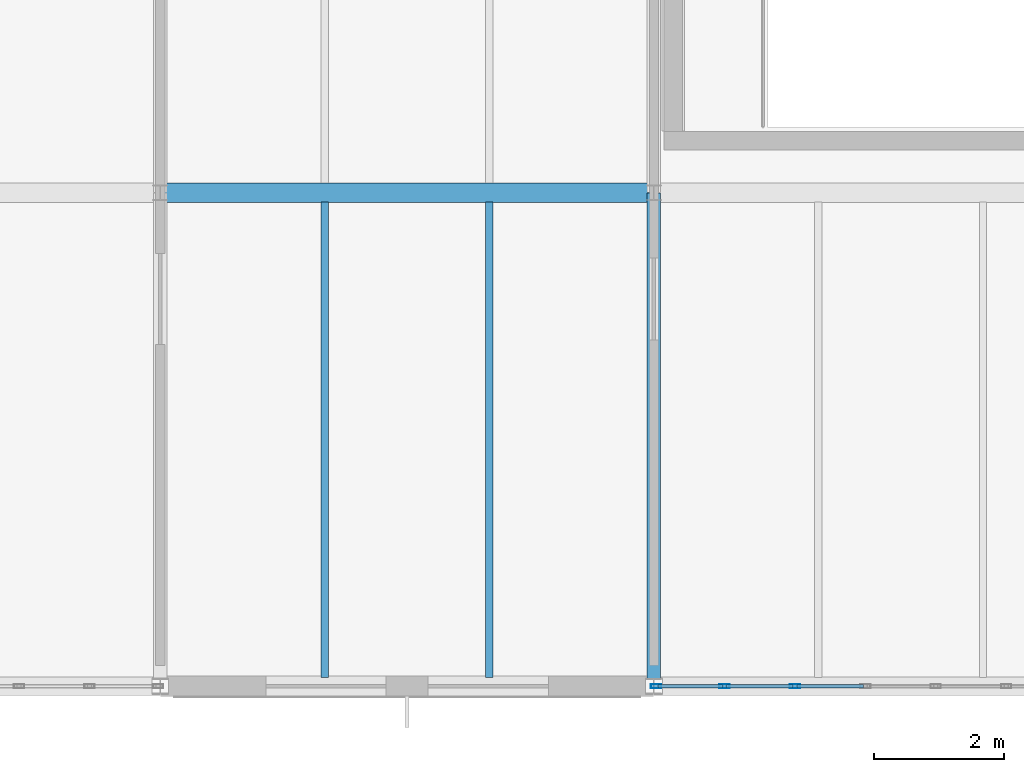
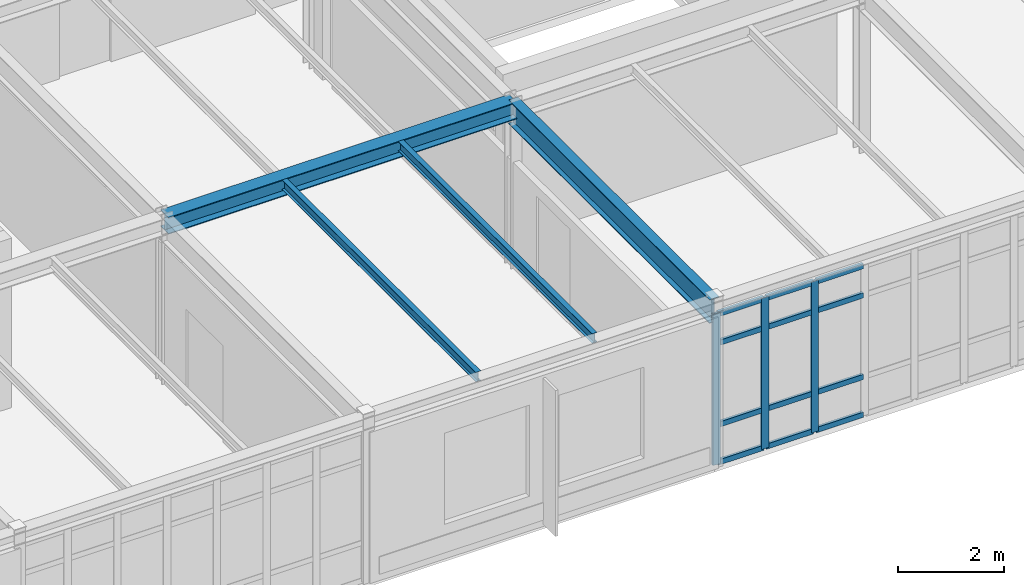
# One storey, part 28 of 189: 15 members, 4 beams, 1 element without a shape of its own.
"""IFC4 building model written with IfcOpenShell, lengths in metres."""

from ifc_helpers import new_model, si_unit, direction, frame, origin, origin_2d, place, context, subcontext, project, spatial, hollow_rectangle, i_section, extrude, material, layer, layer_set, material_profile, profile_set, type_object, element, aggregate, save


model = new_model("IFC4")

# Units and contexts
model_context = context("Model", 3, precision=1e-05, world=origin(), true_north=direction((0.0, 1.0)))
body_context = subcontext(model_context, "Body", "Model", "MODEL_VIEW")
ifc_project = project(units=[si_unit("LENGTHUNIT", "METRE"), si_unit("AREAUNIT", "SQUARE_METRE"), si_unit("VOLUMEUNIT", "CUBIC_METRE"), si_unit("PLANEANGLEUNIT", "RADIAN"), si_unit("MASSUNIT", "GRAM", prefix="KILO")], contexts=[model_context])

# Site, building, storey
site_placement = place(None, origin())
site = spatial("IfcSite", under=ifc_project, at=site_placement, CompositionType="ELEMENT")
building_placement = place(site_placement, origin())
building = spatial("IfcBuilding", under=site, at=building_placement, Name="Montecoro Central Library", CompositionType="ELEMENT")
storey_placement = place(building_placement, frame((0.0, 0.0, 9.179931640625)))
storey = spatial("IfcBuildingStorey", under=building, at=storey_placement, Name="L02", CompositionType="ELEMENT", Elevation=9.179931640625)

# Beams
ifc_material_1 = material(Name="Steel S355", Category="steel")
ifc_material_profile_1 = material_profile(ifc_material_1, i_section(OverallWidth=0.300048828125, OverallDepth=0.389892578125, WebThickness=0.010986328125, FlangeThickness=0.01904296875, at=origin_2d()), Name="HEA 400")
ifc_profile_set_1 = profile_set([ifc_material_profile_1], Name="Steel S355")
beam_type_1 = type_object("IfcBeamType", Name="BM-G-HEA400", PredefinedType="USERDEFINED", material=ifc_profile_set_1)
beam_1_placement = place(storey_placement, frame((20.205078125, 12.60009765625, 3.630126953125), z_axis=(1.0, 0.0, 0.0), x_axis=(0.0, 1.0, 0.0)))
element("IfcBeam", 1, at=beam_1_placement, inside=storey, type_object=beam_type_1, Name="V3-L02-BX-34-B", ObjectType="GIRDER", PredefinedType="USERDEFINED", context=body_context, shape_type="SweptSolid", body=[
    extrude(i_section(OverallWidth=0.300048828125, OverallDepth=0.389892578125, WebThickness=0.010986328125, FlangeThickness=0.01904296875, at=origin_2d()), origin(), (0.0, 0.0, 1.0), 7.58984375),
])
ifc_material_2 = material(Name="Steel S355J2", Category="steel")
ifc_material_profile_2 = material_profile(ifc_material_2, i_section(OverallWidth=0.2099609375, OverallDepth=0.550048828125, WebThickness=0.010986328125, FlangeThickness=0.01708984375, at=origin_2d()), Name="IPE 550")
ifc_profile_set_2 = profile_set([ifc_material_profile_2], Name="Steel S355J2")
beam_type_2 = type_object("IfcBeamType", Name="BM-G-IPE550", PredefinedType="USERDEFINED", material=ifc_profile_set_2)
beam_2_placement = place(storey_placement, frame((27.800048828125, 5.0048828125, 3.550048828125), z_axis=(0.0, 1.0, 0.0), x_axis=(-1.0, 0.0, 0.0)))
element("IfcBeam", 2, at=beam_2_placement, inside=storey, type_object=beam_type_2, Name="V3-L02-BY-4-AB", ObjectType="GIRDER", PredefinedType="USERDEFINED", context=body_context, shape_type="SweptSolid", body=[
    extrude(i_section(OverallWidth=0.2099609375, OverallDepth=0.550048828125, WebThickness=0.010986328125, FlangeThickness=0.01708984375, at=origin_2d()), origin(), (0.0, 0.0, 1.0), 7.590087890625),
])
ifc_material_profile_3 = material_profile(ifc_material_1, i_section(OverallWidth=0.110107421875, OverallDepth=0.219970703125, WebThickness=0.005859375, FlangeThickness=0.00927734375, at=origin_2d()), Name="IPE 220")
ifc_profile_set_3 = profile_set([ifc_material_profile_3], Name="Steel S355")
beam_type_3 = type_object("IfcBeamType", Name="BM-J-IPE220", PredefinedType="JOIST", material=ifc_profile_set_3)
for number, where, z_axis, x_axis, name in (
    (3, (22.73291015625, 5.136962890625, 3.715087890625), (0.0, 1.0, 0.0), (-1.0, 0.0, 0.0), "V3-L02-JS-34-AB-1"),
    (4, (25.26708984375, 5.136962890625, 3.715087890625), (0.0, 1.0, 0.0), (-1.0, 0.0, 0.0), "V3-L02-JS-34-AB-2"),
):
    element("IfcBeam", number, at=place(storey_placement, frame(where, z_axis=z_axis, x_axis=x_axis)), inside=storey, type_object=beam_type_3, Name=name, PredefinedType="JOIST", context=body_context, shape_type="SweptSolid", body=[
        extrude(i_section(OverallWidth=0.110107421875, OverallDepth=0.219970703125, WebThickness=0.005859375, FlangeThickness=0.00927734375, at=origin_2d()), origin(), (0.0, 0.0, 1.0), 7.31591796875),
    ])

# Curtain wall, members
ifc_material_3 = material(Name="Bronze-anodised aluminium and low-E glazing", Category="aluminium")
ifc_layer = layer(ifc_material_3, 0.159912109375)
ifc_layer_set = layer_set([ifc_layer], Name="Bronze-anodised aluminium and low-E glazing")
curtain_wall_type = type_object("IfcCurtainWallType", Name="CWT-033", PredefinedType="NOTDEFINED", material=ifc_layer_set)
curtain_wall_placement = place(storey_placement, origin())
curtain_wall = element("IfcCurtainWall", 5, at=curtain_wall_placement, inside=storey, type_object=curtain_wall_type, Name="V3-L02-CW-S3", PredefinedType="NOTDEFINED")
ifc_material_4 = material(Name="Bronze-anodised aluminium", Category="aluminium")
ifc_material_profile_4 = material_profile(ifc_material_4, hollow_rectangle(XDim=0.06005859375, YDim=0.159912109375, WallThickness=0.00390625, at=origin_2d()), Name="CWM 160x60x4.0")
ifc_profile_set_4 = profile_set([ifc_material_profile_4], Name="Bronze-anodised aluminium")
member_type_1 = type_object("IfcMemberType", Name="CWM-BRZ-60", PredefinedType="MULLION", material=ifc_profile_set_4)
member_1_placement = place(storey_placement, frame((27.833984375, 5.0, 0.0), z_axis=(0.0, 0.0, 1.0), x_axis=(0.0, 1.0, 0.0)))
member_1 = element("IfcMember", 6, at=member_1_placement, type_object=member_type_1, Name="CW-033 mullion 1", PredefinedType="MULLION", context=body_context, shape_type="SweptSolid", body=[
    extrude(hollow_rectangle(XDim=0.06005859375, YDim=0.159912109375, WallThickness=0.00390625, at=origin_2d()), origin(), (0.0, 0.0, 1.0), 3.47998046875),
])
member_2_placement = place(storey_placement, frame((28.888671875, 5.0, 0.0), z_axis=(0.0, 0.0, 1.0), x_axis=(0.0, 1.0, 0.0)))
member_2 = element("IfcMember", 7, at=member_2_placement, type_object=member_type_1, Name="CW-033 mullion 2", PredefinedType="MULLION", context=body_context, shape_type="SweptSolid", body=[
    extrude(hollow_rectangle(XDim=0.06005859375, YDim=0.159912109375, WallThickness=0.00390625, at=origin_2d()), origin(), (0.0, 0.0, 1.0), 3.47998046875),
])
member_3_placement = place(storey_placement, frame((29.97314453125, 5.0, 0.0), z_axis=(0.0, 0.0, 1.0), x_axis=(0.0, 1.0, 0.0)))
member_3 = element("IfcMember", 8, at=member_3_placement, type_object=member_type_1, Name="CW-033 mullion 3", PredefinedType="MULLION", context=body_context, shape_type="SweptSolid", body=[
    extrude(hollow_rectangle(XDim=0.06005859375, YDim=0.159912109375, WallThickness=0.00390625, at=origin_2d()), origin(), (0.0, 0.0, 1.0), 3.47998046875),
])
ifc_material_profile_5 = material_profile(ifc_material_4, hollow_rectangle(XDim=0.06005859375, YDim=0.1201171875, WallThickness=0.00390625, at=origin_2d()), Name="CWT 120x60x4.0")
ifc_profile_set_5 = profile_set([ifc_material_profile_5], Name="Bronze-anodised aluminium")
member_type_2 = type_object("IfcMemberType", Name="CWT-BRZ-60", PredefinedType="USERDEFINED", material=ifc_profile_set_5)
member_4_placement = place(storey_placement, frame((27.864013671875, 5.0, 0.030029296875), z_axis=(1.0, 0.0, 0.0), x_axis=(0.0, 1.0, 0.0)))
member_4 = element("IfcMember", 9, at=member_4_placement, type_object=member_type_2, Name="CW-033 transom 1.1", ObjectType="TRANSOM", PredefinedType="USERDEFINED", context=body_context, shape_type="SweptSolid", body=[
    extrude(hollow_rectangle(XDim=0.06005859375, YDim=0.1201171875, WallThickness=0.00390625, at=origin_2d()), origin(), (0.0, 0.0, 1.0), 0.99462890625),
])
member_5_placement = place(storey_placement, frame((27.864013671875, 5.0, 0.900146484375), z_axis=(1.0, 0.0, 0.0), x_axis=(0.0, 1.0, 0.0)))
member_5 = element("IfcMember", 10, at=member_5_placement, type_object=member_type_2, Name="CW-033 transom 1.2", ObjectType="TRANSOM", PredefinedType="USERDEFINED", context=body_context, shape_type="SweptSolid", body=[
    extrude(hollow_rectangle(XDim=0.06005859375, YDim=0.1201171875, WallThickness=0.00390625, at=origin_2d()), origin(), (0.0, 0.0, 1.0), 0.99462890625),
])
member_6_placement = place(storey_placement, frame((27.864013671875, 5.0, 2.780029296875), z_axis=(1.0, 0.0, 0.0), x_axis=(0.0, 1.0, 0.0)))
member_6 = element("IfcMember", 11, at=member_6_placement, type_object=member_type_2, Name="CW-033 transom 1.3", ObjectType="TRANSOM", PredefinedType="USERDEFINED", context=body_context, shape_type="SweptSolid", body=[
    extrude(hollow_rectangle(XDim=0.06005859375, YDim=0.1201171875, WallThickness=0.00390625, at=origin_2d()), origin(), (0.0, 0.0, 1.0), 0.99462890625),
])
member_7_placement = place(storey_placement, frame((27.864013671875, 5.0, 3.449951171875), z_axis=(1.0, 0.0, 0.0), x_axis=(0.0, 1.0, 0.0)))
member_7 = element("IfcMember", 12, at=member_7_placement, type_object=member_type_2, Name="CW-033 transom 1.4", ObjectType="TRANSOM", PredefinedType="USERDEFINED", context=body_context, shape_type="SweptSolid", body=[
    extrude(hollow_rectangle(XDim=0.06005859375, YDim=0.1201171875, WallThickness=0.00390625, at=origin_2d()), origin(), (0.0, 0.0, 1.0), 0.99462890625),
])
member_8_placement = place(storey_placement, frame((28.91845703125, 5.0, 0.030029296875), z_axis=(1.0, 0.0, 0.0), x_axis=(0.0, 1.0, 0.0)))
member_8 = element("IfcMember", 13, at=member_8_placement, type_object=member_type_2, Name="CW-033 transom 2.1", ObjectType="TRANSOM", PredefinedType="USERDEFINED", context=body_context, shape_type="SweptSolid", body=[
    extrude(hollow_rectangle(XDim=0.06005859375, YDim=0.1201171875, WallThickness=0.00390625, at=origin_2d()), origin(), (0.0, 0.0, 1.0), 1.024658203125),
])
member_9_placement = place(storey_placement, frame((28.91845703125, 5.0, 0.900146484375), z_axis=(1.0, 0.0, 0.0), x_axis=(0.0, 1.0, 0.0)))
member_9 = element("IfcMember", 14, at=member_9_placement, type_object=member_type_2, Name="CW-033 transom 2.2", ObjectType="TRANSOM", PredefinedType="USERDEFINED", context=body_context, shape_type="SweptSolid", body=[
    extrude(hollow_rectangle(XDim=0.06005859375, YDim=0.1201171875, WallThickness=0.00390625, at=origin_2d()), origin(), (0.0, 0.0, 1.0), 1.024658203125),
])
member_10_placement = place(storey_placement, frame((28.91845703125, 5.0, 2.780029296875), z_axis=(1.0, 0.0, 0.0), x_axis=(0.0, 1.0, 0.0)))
member_10 = element("IfcMember", 15, at=member_10_placement, type_object=member_type_2, Name="CW-033 transom 2.3", ObjectType="TRANSOM", PredefinedType="USERDEFINED", context=body_context, shape_type="SweptSolid", body=[
    extrude(hollow_rectangle(XDim=0.06005859375, YDim=0.1201171875, WallThickness=0.00390625, at=origin_2d()), origin(), (0.0, 0.0, 1.0), 1.024658203125),
])
member_11_placement = place(storey_placement, frame((28.91845703125, 5.0, 3.449951171875), z_axis=(1.0, 0.0, 0.0), x_axis=(0.0, 1.0, 0.0)))
member_11 = element("IfcMember", 16, at=member_11_placement, type_object=member_type_2, Name="CW-033 transom 2.4", ObjectType="TRANSOM", PredefinedType="USERDEFINED", context=body_context, shape_type="SweptSolid", body=[
    extrude(hollow_rectangle(XDim=0.06005859375, YDim=0.1201171875, WallThickness=0.00390625, at=origin_2d()), origin(), (0.0, 0.0, 1.0), 1.024658203125),
])
member_12_placement = place(storey_placement, frame((30.003173828125, 5.0, 0.030029296875), z_axis=(1.0, 0.0, 0.0), x_axis=(0.0, 1.0, 0.0)))
member_12 = element("IfcMember", 17, at=member_12_placement, type_object=member_type_2, Name="CW-033 transom 3.1", ObjectType="TRANSOM", PredefinedType="USERDEFINED", context=body_context, shape_type="SweptSolid", body=[
    extrude(hollow_rectangle(XDim=0.06005859375, YDim=0.1201171875, WallThickness=0.00390625, at=origin_2d()), origin(), (0.0, 0.0, 1.0), 1.024658203125),
])
member_13_placement = place(storey_placement, frame((30.003173828125, 5.0, 0.900146484375), z_axis=(1.0, 0.0, 0.0), x_axis=(0.0, 1.0, 0.0)))
member_13 = element("IfcMember", 18, at=member_13_placement, type_object=member_type_2, Name="CW-033 transom 3.2", ObjectType="TRANSOM", PredefinedType="USERDEFINED", context=body_context, shape_type="SweptSolid", body=[
    extrude(hollow_rectangle(XDim=0.06005859375, YDim=0.1201171875, WallThickness=0.00390625, at=origin_2d()), origin(), (0.0, 0.0, 1.0), 1.024658203125),
])
member_14_placement = place(storey_placement, frame((30.003173828125, 5.0, 2.780029296875), z_axis=(1.0, 0.0, 0.0), x_axis=(0.0, 1.0, 0.0)))
member_14 = element("IfcMember", 19, at=member_14_placement, type_object=member_type_2, Name="CW-033 transom 3.3", ObjectType="TRANSOM", PredefinedType="USERDEFINED", context=body_context, shape_type="SweptSolid", body=[
    extrude(hollow_rectangle(XDim=0.06005859375, YDim=0.1201171875, WallThickness=0.00390625, at=origin_2d()), origin(), (0.0, 0.0, 1.0), 1.024658203125),
])
member_15_placement = place(storey_placement, frame((30.003173828125, 5.0, 3.449951171875), z_axis=(1.0, 0.0, 0.0), x_axis=(0.0, 1.0, 0.0)))
member_15 = element("IfcMember", 20, at=member_15_placement, type_object=member_type_2, Name="CW-033 transom 3.4", ObjectType="TRANSOM", PredefinedType="USERDEFINED", context=body_context, shape_type="SweptSolid", body=[
    extrude(hollow_rectangle(XDim=0.06005859375, YDim=0.1201171875, WallThickness=0.00390625, at=origin_2d()), origin(), (0.0, 0.0, 1.0), 1.024658203125),
])
aggregate(curtain_wall, [member_1, member_2, member_3, member_4, member_5, member_6, member_7, member_8, member_9, member_10, member_11, member_12, member_13, member_14, member_15])

save(model, "model.ifc")
